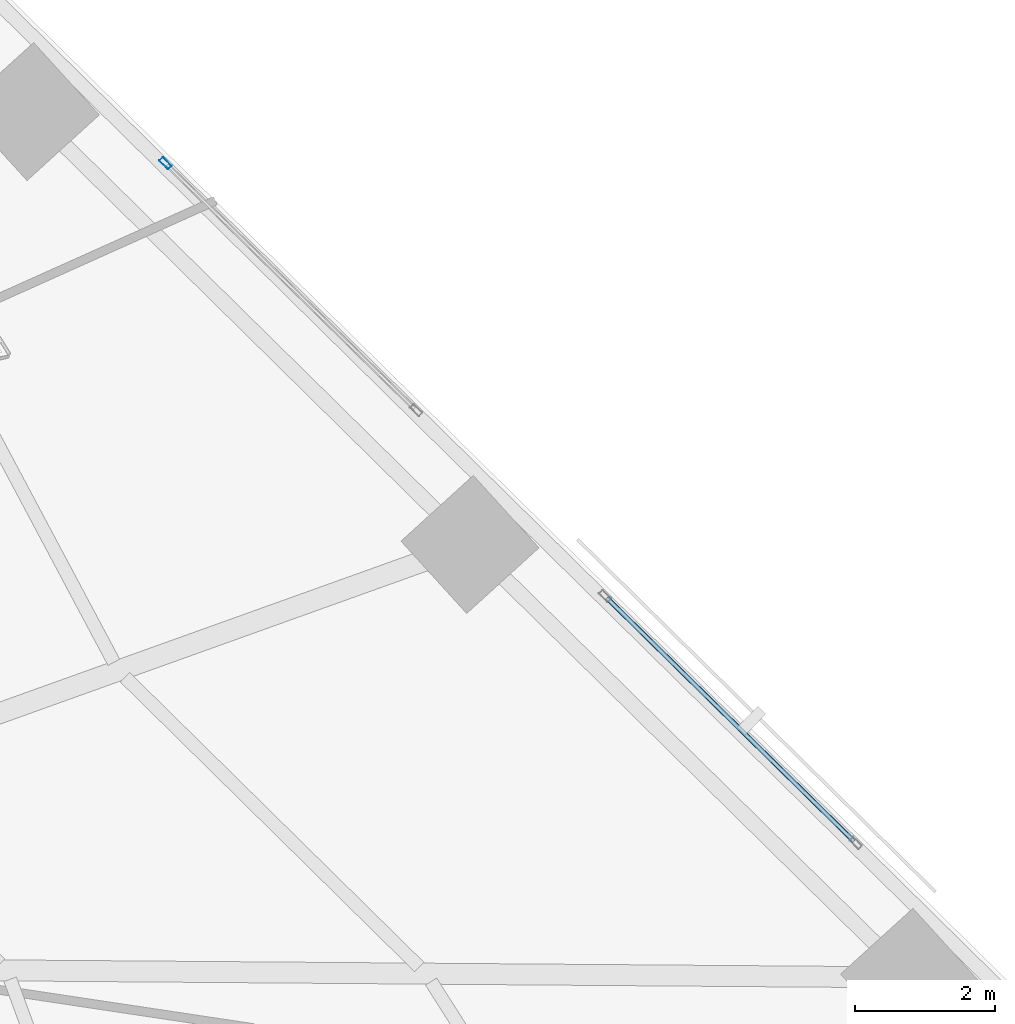
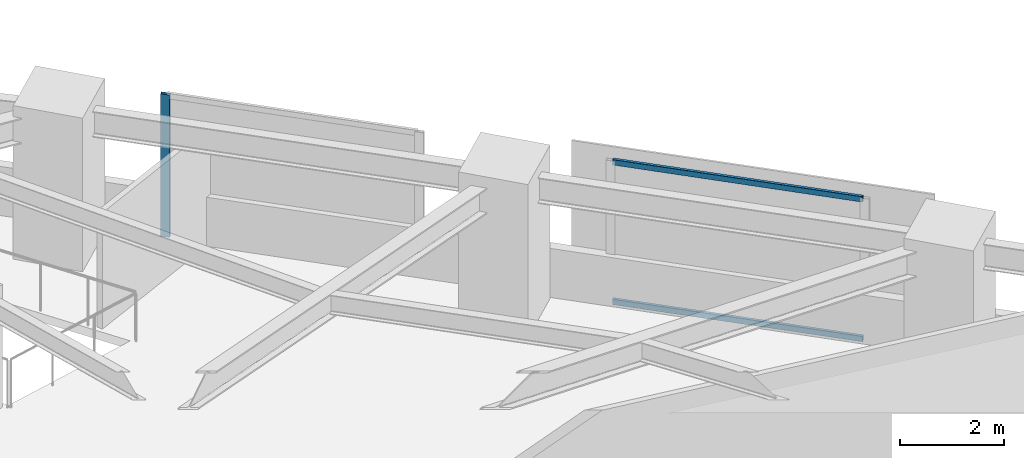
# One storey, part 7 of 17: 3 members, 2 elements without a shape of their own.
"""IFC4 building model written with IfcOpenShell, lengths in metres."""

from ifc_helpers import new_model, si_unit, direction, frame, origin, origin_2d, place, context, subcontext, project, spatial, hollow_rectangle, extrude, material, material_profile, profile_set, type_object, element, aggregate, save


model = new_model("IFC4")

# Units and contexts
model_context = context("Model", 3, precision=1e-05, world=origin(), true_north=direction((0.0, 1.0)))
body_context = subcontext(model_context, "Body", "Model", "MODEL_VIEW")
ifc_project = project(units=[si_unit("LENGTHUNIT", "METRE"), si_unit("AREAUNIT", "SQUARE_METRE"), si_unit("VOLUMEUNIT", "CUBIC_METRE"), si_unit("PLANEANGLEUNIT", "RADIAN"), si_unit("MASSUNIT", "GRAM", prefix="KILO")], contexts=[model_context])

# Site, building, storey
site_placement = place(None, origin())
site = spatial("IfcSite", under=ifc_project, at=site_placement, CompositionType="ELEMENT")
building_placement = place(site_placement, origin())
building = spatial("IfcBuilding", under=site, at=building_placement, Name="Narakoshi Arena Tower", CompositionType="ELEMENT")
storey_placement = place(building_placement, frame((0.0, 0.0, 33.89990234375)))
storey = spatial("IfcBuildingStorey", under=building, at=storey_placement, Name="L08", CompositionType="ELEMENT", Elevation=33.89990234375)

# Curtain wall, member
ifc_material = material(Name="Anodised bronze aluminium 6063-T6", Category="aluminium")
curtain_wall_type = type_object("IfcCurtainWallType", Name="CW-HYP-LOW", PredefinedType="NOTDEFINED", material=ifc_material)
curtain_wall_1_placement = place(storey_placement, origin())
curtain_wall_1 = element("IfcCurtainWall", 1, at=curtain_wall_1_placement, inside=storey, type_object=curtain_wall_type, Name="L08 Folded Hypotenuse Curtain Wall 1-4", PredefinedType="NOTDEFINED")
ifc_material_profile_1 = material_profile(ifc_material, hollow_rectangle(XDim=0.074951171875, YDim=0.179931640625, WallThickness=0.00390625, OuterFilletRadius=0.0048828125, at=origin_2d()), Name="MUL180x75x4")
ifc_profile_set_1 = profile_set([ifc_material_profile_1], Name="Anodised bronze aluminium 6063-T6")
member_type_1 = type_object("IfcMemberType", Name="MEM-MUL-180", PredefinedType="MULLION", material=ifc_profile_set_1)
member_1_placement = place(storey_placement, frame((97.982177734375, 54.835205078125, 0.0), z_axis=(0.0, 0.0, 1.0), x_axis=(-0.701632802488, -0.712538708053, 0.0)))
member_1 = element("IfcMember", 2, at=member_1_placement, type_object=member_type_1, Name="CW-01 mullion 2", PredefinedType="MULLION", context=body_context, shape_type="SweptSolid", body=[
    extrude(hollow_rectangle(XDim=0.074951171875, YDim=0.179931640625, WallThickness=0.00390625, OuterFilletRadius=0.0048828125, at=origin_2d()), origin(), (0.0, 0.0, 1.0), 3.340087890625),
])
aggregate(curtain_wall_1, [member_1])

# Curtain wall, members
curtain_wall_2_placement = place(storey_placement, origin())
curtain_wall_2 = element("IfcCurtainWall", 3, at=curtain_wall_2_placement, inside=storey, type_object=curtain_wall_type, Name="L08 Folded Hypotenuse Curtain Wall 1-3", PredefinedType="NOTDEFINED")
ifc_material_profile_2 = material_profile(ifc_material, hollow_rectangle(XDim=0.06494140625, YDim=0.1298828125, WallThickness=0.00390625, OuterFilletRadius=0.0048828125, at=origin_2d()), Name="TRN130x65x4")
ifc_profile_set_2 = profile_set([ifc_material_profile_2], Name="Anodised bronze aluminium 6063-T6")
member_type_2 = type_object("IfcMemberType", Name="MEM-TRN-130", PredefinedType="USERDEFINED", material=ifc_profile_set_2)
member_2_placement = place(storey_placement, frame((107.845947265625, 45.122314453125, 0.03271484375), z_axis=(-0.712542243067, 0.701629212508, 0.0), x_axis=(-0.701629212508, -0.712542243067, 0.0)))
member_2 = element("IfcMember", 4, at=member_2_placement, type_object=member_type_2, Name="CW-01 transom 1.1", ObjectType="TRANSOM", PredefinedType="USERDEFINED", context=body_context, shape_type="SweptSolid", body=[
    extrude(hollow_rectangle(XDim=0.06494140625, YDim=0.1298828125, WallThickness=0.00390625, OuterFilletRadius=0.0048828125, at=origin_2d()), origin(), (0.0, 0.0, 1.0), 4.966552734375),
])
member_3_placement = place(storey_placement, frame((107.845947265625, 45.122314453125, 3.3076171875), z_axis=(-0.712542243067, 0.701629212508, 0.0), x_axis=(-0.701629212508, -0.712542243067, 0.0)))
member_3 = element("IfcMember", 5, at=member_3_placement, type_object=member_type_2, Name="CW-01 transom 1.2", ObjectType="TRANSOM", PredefinedType="USERDEFINED", context=body_context, shape_type="SweptSolid", body=[
    extrude(hollow_rectangle(XDim=0.06494140625, YDim=0.1298828125, WallThickness=0.00390625, OuterFilletRadius=0.0048828125, at=origin_2d()), origin(), (0.0, 0.0, 1.0), 4.966552734375),
])
aggregate(curtain_wall_2, [member_2, member_3])

save(model, "model.ifc")
